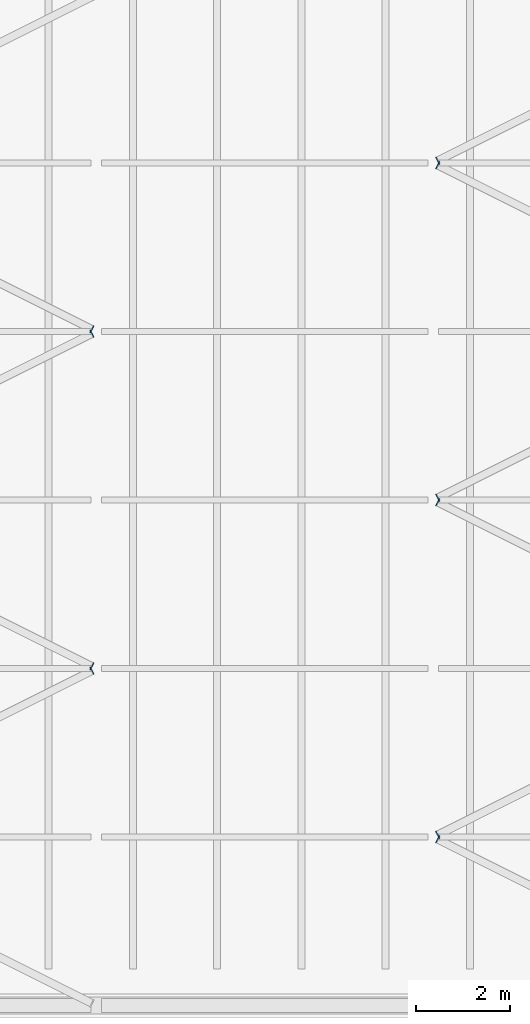
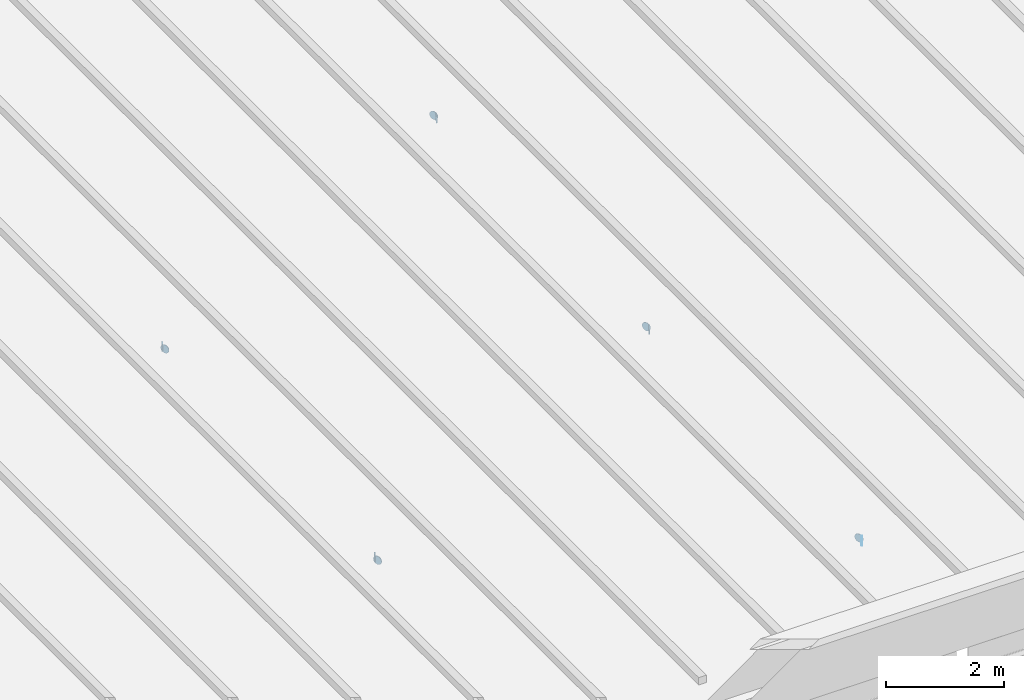
# One storey, part 74 of 110: 10 discrete accessories.
"""IFC4 building model written with IfcOpenShell, lengths in metres."""

from ifc_helpers import new_model, si_unit, direction, frame, origin, origin_2d, place, context, subcontext, project, spatial, circle, extrude, material, layer, layer_set, type_object, element, save


model = new_model("IFC4")

# Units and contexts
model_context = context("Model", 3, precision=1e-05, world=origin(), true_north=direction((0.0, 1.0)))
body_context = subcontext(model_context, "Body", "Model", "MODEL_VIEW")
ifc_project = project(units=[si_unit("LENGTHUNIT", "METRE"), si_unit("AREAUNIT", "SQUARE_METRE"), si_unit("VOLUMEUNIT", "CUBIC_METRE"), si_unit("PLANEANGLEUNIT", "RADIAN"), si_unit("MASSUNIT", "GRAM", prefix="KILO")], contexts=[model_context])

# Site, building, storey
site_placement = place(None, origin())
site = spatial("IfcSite", under=ifc_project, at=site_placement, CompositionType="ELEMENT")
building_placement = place(site_placement, origin())
building = spatial("IfcBuilding", under=site, at=building_placement, Name="Kupolbacken Congress Centre", CompositionType="ELEMENT")
storey_placement = place(building_placement, frame((0.0, 0.0, 18.0)))
storey = spatial("IfcBuildingStorey", under=building, at=storey_placement, Name="L05", CompositionType="ELEMENT", Elevation=18.0)

# Discrete accessories
ifc_material = material(Name="Steel S355", Category="steel")
ifc_layer = layer(ifc_material, 0.011962890625)
ifc_layer_set = layer_set([ifc_layer], Name="Steel S355")
discrete_accessory_type = type_object("IfcDiscreteAccessoryType", Name="EC2 tube end cap plate 168 dia x 12", PredefinedType="BRACKET", material=ifc_layer_set)
for number, where, z_axis, x_axis, name in (
    (1, (172.70166015625, 129.55078125, -0.084228515625), (0.894427191, 0.4472135955, 0.0), (-0.4472135955, 0.894427191, 0.0), "End cap plate BR/RB/03-01 B"),
    (2, (172.70166015625, 129.649169921875, -0.084228515625), (0.894427191, -0.4472135955, 0.0), (0.4472135955, 0.894427191, 0.0), "End cap plate BR/RB/03-02 A"),
    (3, (172.70166015625, 136.750732421875, -0.084228515625), (0.894427191, 0.4472135955, 0.0), (-0.4472135955, 0.894427191, 0.0), "End cap plate BR/RB/03-03 B"),
    (4, (172.70166015625, 136.84912109375, -0.084228515625), (0.894427191, -0.4472135955, 0.0), (0.4472135955, 0.894427191, 0.0), "End cap plate BR/RB/03-04 A"),
):
    element("IfcDiscreteAccessory", number, at=place(storey_placement, frame(where, z_axis=z_axis, x_axis=x_axis)), inside=storey, type_object=discrete_accessory_type, Name=name, PredefinedType="BRACKET", context=body_context, shape_type="SweptSolid", body=[
        extrude(circle(Radius=0.084228515625, at=origin_2d()), origin(), (0.0, 0.0, 1.0), 0.011962890625),
    ])
for number, where, z_axis, x_axis, name in (
    (5, (180.098388671875, 125.95068359375, -0.084228515625), (-0.886225443962, 0.463254209344, 0.0), (-0.463254209344, -0.886225443962, 0.0), "End cap plate BR/RB/05-00 B"),
    (6, (180.098388671875, 126.04931640625, -0.084228515625), (-0.886225443962, -0.463254209344, 0.0), (0.463254209344, -0.886225443962, 0.0), "End cap plate BR/RB/05-01 A"),
):
    element("IfcDiscreteAccessory", number, at=place(storey_placement, frame(where, z_axis=z_axis, x_axis=x_axis)), inside=storey, type_object=discrete_accessory_type, Name=name, PredefinedType="BRACKET", context=body_context, shape_type="SweptSolid", body=[
        extrude(circle(Radius=0.084228515625, at=origin_2d()), origin(), (0.0, 0.0, 1.0), 0.01220703125),
    ])
for number, where, z_axis, x_axis, name in (
    (7, (180.098388671875, 133.15087890625, -0.084228515625), (-0.894427191, 0.4472135955, 0.0), (-0.4472135955, -0.894427191, 0.0), "End cap plate BR/RB/05-02 B"),
    (8, (180.098388671875, 133.249267578125, -0.084228515625), (-0.894427191, -0.4472135955, 0.0), (0.4472135955, -0.894427191, 0.0), "End cap plate BR/RB/05-03 A"),
    (9, (180.098388671875, 140.350830078125, -0.084228515625), (-0.894427191, 0.4472135955, 0.0), (-0.4472135955, -0.894427191, 0.0), "End cap plate BR/RB/05-04 B"),
    (10, (180.098388671875, 140.44921875, -0.084228515625), (-0.894427191, -0.4472135955, 0.0), (0.4472135955, -0.894427191, 0.0), "End cap plate BR/RB/05-05 A"),
):
    element("IfcDiscreteAccessory", number, at=place(storey_placement, frame(where, z_axis=z_axis, x_axis=x_axis)), inside=storey, type_object=discrete_accessory_type, Name=name, PredefinedType="BRACKET", context=body_context, shape_type="SweptSolid", body=[
        extrude(circle(Radius=0.084228515625, at=origin_2d()), origin(), (0.0, 0.0, 1.0), 0.011962890625),
    ])

save(model, "model.ifc")
